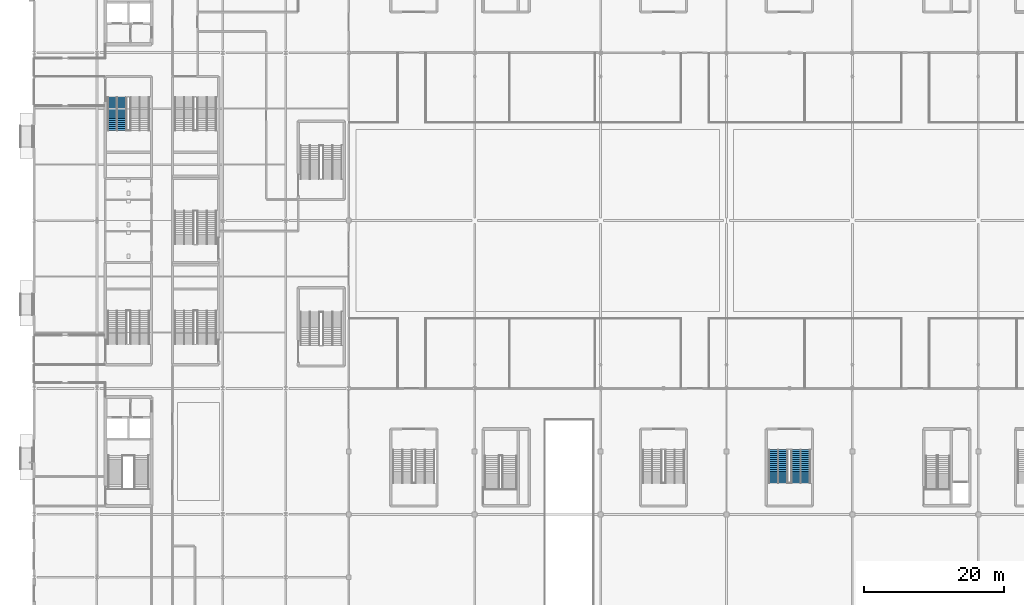
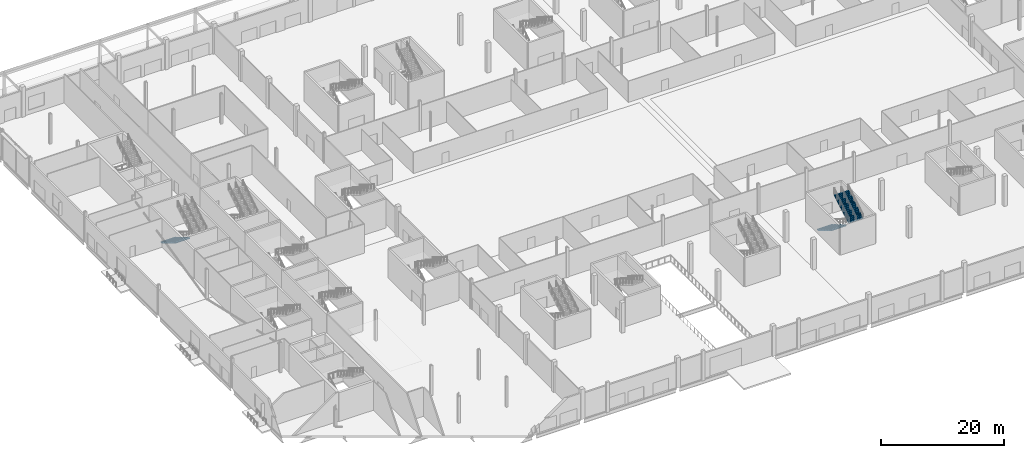
# One storey, part 57 of 84: 3 stair flights, 2 elements without a shape of their own.
"""IFC4 building model written with IfcOpenShell, lengths in metres."""

from ifc_helpers import new_model, si_unit, direction, frame, origin, place, context, subcontext, project, spatial, polygons, material, type_object, element, aggregate, save


model = new_model("IFC4")

# Units and contexts
model_context = context("Model", 3, precision=1e-05, world=origin(), true_north=direction((0.0, 1.0)))
body_context = subcontext(model_context, "Body", "Model", "MODEL_VIEW")
ifc_project = project(units=[si_unit("LENGTHUNIT", "METRE"), si_unit("AREAUNIT", "SQUARE_METRE"), si_unit("VOLUMEUNIT", "CUBIC_METRE"), si_unit("PLANEANGLEUNIT", "RADIAN"), si_unit("MASSUNIT", "GRAM", prefix="KILO")], contexts=[model_context])

# Site, building, storey
site_placement = place(None, origin())
site = spatial("IfcSite", under=ifc_project, at=site_placement, CompositionType="ELEMENT")
building_placement = place(site_placement, origin())
building = spatial("IfcBuilding", under=site, at=building_placement, Name="Kisiwana Market Hall", CompositionType="ELEMENT")
storey_placement = place(building_placement, origin())
storey = spatial("IfcBuildingStorey", under=building, at=storey_placement, Name="L00", CompositionType="ELEMENT", Elevation=0.0)

# Stair, stair flight
ifc_material_1 = material(Name="Concrete C32/40", Category="concrete")
stair_type = type_object("IfcStairType", Name="ST-ESC-6000", PredefinedType="TWO_STRAIGHT_RUN_STAIR", material=ifc_material_1)
stair_1_placement = place(storey_placement, origin())
stair_1 = element("IfcStair", 1, at=stair_1_placement, inside=storey, type_object=stair_type, Name="Escape stair ST-W4-L00", PredefinedType="TWO_STRAIGHT_RUN_STAIR")
ifc_material_2 = material(Name="Concrete C32/40", Category="concrete")
stair_flight_type = type_object("IfcStairFlightType", Name="SF-ESC-6000", PredefinedType="STRAIGHT", material=ifc_material_2)
stair_flight_1_placement = place(storey_placement, frame((11.889892578125, 77.639892578125, 0.0), z_axis=(0.0, 0.0, 1.0), x_axis=(0.0, -1.0, 0.0)))
stair_flight_1 = element("IfcStairFlight", 2, at=stair_flight_1_placement, type_object=stair_flight_type, Name="ST-W4-L00 flight 1", NumberOfRisers=18, NumberOfTreads=17, PredefinedType="STRAIGHT", RiserHeight=0.166667, TreadLength=0.28, context=body_context, shape_type="Tessellation", body=[
    polygons([(0.0, -1.380127, 0.0), (0.0, -0.690125, 0.0), (0.0, -0.000122, 0.0), (0.0, 0.68988, 0.0), (0.0, 1.379883, 0.0), (0.0, -1.380127, 0.166748), (0.0, -0.690125, 0.166748), (0.0, -0.000122, 0.166748), (0.0, 0.68988, 0.166748), (0.0, 1.379883, 0.166748), (0.280029, -1.380127, 0.166748), (0.280029, -0.690125, 0.166748), (0.280029, -0.000122, 0.166748), (0.280029, 0.68988, 0.166748), (0.280029, 1.379883, 0.166748), (0.280029, -1.380127, 0.333252), (0.280029, -0.690125, 0.333252), (0.280029, -0.000122, 0.333252), (0.280029, 0.68988, 0.333252), (0.280029, 1.379883, 0.333252), (0.560059, -1.380127, 0.333252), (0.560059, -0.690125, 0.333252), (0.560059, -0.000122, 0.333252), (0.560059, 0.68988, 0.333252), (0.560059, 1.379883, 0.333252), (0.560059, -1.380127, 0.5), (0.560059, -0.690125, 0.5), (0.560059, -0.000122, 0.5), (0.560059, 0.68988, 0.5), (0.560059, 1.379883, 0.5), (0.840088, -1.380127, 0.5), (0.840088, -0.690125, 0.5), (0.840088, -0.000122, 0.5), (0.840088, 0.68988, 0.5), (0.840088, 1.379883, 0.5), (0.840088, -1.380127, 0.666748), (0.840088, -0.690125, 0.666748), (0.840088, -0.000122, 0.666748), (0.840088, 0.68988, 0.666748), (0.840088, 1.379883, 0.666748), (1.120117, -1.380127, 0.666748), (1.120117, -0.690125, 0.666748), (1.120117, -0.000122, 0.666748), (1.120117, 0.68988, 0.666748), (1.120117, 1.379883, 0.666748), (1.120117, -1.380127, 0.833252), (1.120117, -0.690125, 0.833252), (1.120117, -0.000122, 0.833252), (1.120117, 0.68988, 0.833252), (1.120117, 1.379883, 0.833252), (1.399902, -1.380127, 0.833252), (1.399902, -0.690125, 0.833252), (1.399902, -0.000122, 0.833252), (1.399902, 0.68988, 0.833252), (1.399902, 1.379883, 0.833252), (1.399902, -1.380127, 1.0), (1.399902, -0.690125, 1.0), (1.399902, -0.000122, 1.0), (1.399902, 0.68988, 1.0), (1.399902, 1.379883, 1.0), (1.679932, -1.380127, 1.0), (1.679932, -0.690125, 1.0), (1.679932, -0.000122, 1.0), (1.679932, 0.68988, 1.0), (1.679932, 1.379883, 1.0), (1.679932, -1.380127, 1.166748), (1.679932, -0.690125, 1.166748), (1.679932, -0.000122, 1.166748), (1.679932, 0.68988, 1.166748), (1.679932, 1.379883, 1.166748), (1.959961, -1.380127, 1.166748), (1.959961, -0.690125, 1.166748), (1.959961, -0.000122, 1.166748), (1.959961, 0.68988, 1.166748), (1.959961, 1.379883, 1.166748), (1.959961, -1.380127, 1.333252), (1.959961, -0.690125, 1.333252), (1.959961, -0.000122, 1.333252), (1.959961, 0.68988, 1.333252), (1.959961, 1.379883, 1.333252), (2.23999, -1.380127, 1.333252), (2.23999, -0.690125, 1.333252), (2.23999, -0.000122, 1.333252), (2.23999, 0.68988, 1.333252), (2.23999, 1.379883, 1.333252), (2.23999, -1.380127, 1.5), (2.23999, -0.690125, 1.5), (2.23999, -0.000122, 1.5), (2.23999, 0.68988, 1.5), (2.23999, 1.379883, 1.5), (2.52002, -1.380127, 1.5), (2.52002, -0.690125, 1.5), (2.52002, -0.000122, 1.5), (2.52002, 0.68988, 1.5), (2.52002, 1.379883, 1.5), (2.52002, -1.380127, 1.666748), (2.52002, -0.690125, 1.666748), (2.52002, -0.000122, 1.666748), (2.52002, 0.68988, 1.666748), (2.52002, 1.379883, 1.666748), (2.800049, -1.380127, 1.666748), (2.800049, -0.690125, 1.666748), (2.800049, -0.000122, 1.666748), (2.800049, 0.68988, 1.666748), (2.800049, 1.379883, 1.666748), (2.800049, -1.380127, 1.833252), (2.800049, -0.690125, 1.833252), (2.800049, -0.000122, 1.833252), (2.800049, 0.68988, 1.833252), (2.800049, 1.379883, 1.833252), (3.080078, -1.380127, 1.833252), (3.080078, -0.690125, 1.833252), (3.080078, -0.000122, 1.833252), (3.080078, 0.68988, 1.833252), (3.080078, 1.379883, 1.833252), (3.080078, -1.380127, 2.0), (3.080078, -0.690125, 2.0), (3.080078, -0.000122, 2.0), (3.080078, 0.68988, 2.0), (3.080078, 1.379883, 2.0), (3.360107, -1.380127, 2.0), (3.360107, -0.690125, 2.0), (3.360107, -0.000122, 2.0), (3.360107, 0.68988, 2.0), (3.360107, 1.379883, 2.0), (3.360107, -1.380127, 2.166748), (3.360107, -0.690125, 2.166748), (3.360107, -0.000122, 2.166748), (3.360107, 0.68988, 2.166748), (3.360107, 1.379883, 2.166748), (3.639893, -1.380127, 2.166748), (3.639893, -0.690125, 2.166748), (3.639893, -0.000122, 2.166748), (3.639893, 0.68988, 2.166748), (3.639893, 1.379883, 2.166748), (3.639893, -1.380127, 2.333252), (3.639893, -0.690125, 2.333252), (3.639893, -0.000122, 2.333252), (3.639893, 0.68988, 2.333252), (3.639893, 1.379883, 2.333252), (3.919922, -1.380127, 2.333252), (3.919922, -0.690125, 2.333252), (3.919922, -0.000122, 2.333252), (3.919922, 0.68988, 2.333252), (3.919922, 1.379883, 2.333252), (3.919922, -1.380127, 2.5), (3.919922, -0.690125, 2.5), (3.919922, -0.000122, 2.5), (3.919922, 0.68988, 2.5), (3.919922, 1.379883, 2.5), (4.199951, -1.380127, 2.5), (4.199951, -0.690125, 2.5), (4.199951, -0.000122, 2.5), (4.199951, 0.68988, 2.5), (4.199951, 1.379883, 2.5), (4.199951, -1.380127, 2.666748), (4.199951, -0.690125, 2.666748), (4.199951, -0.000122, 2.666748), (4.199951, 0.68988, 2.666748), (4.199951, 1.379883, 2.666748), (4.47998, -1.380127, 2.666748), (4.47998, -0.690125, 2.666748), (4.47998, -0.000122, 2.666748), (4.47998, 0.68988, 2.666748), (4.47998, 1.379883, 2.666748), (4.47998, -1.380127, 2.833252), (4.47998, -0.690125, 2.833252), (4.47998, -0.000122, 2.833252), (4.47998, 0.68988, 2.833252), (4.47998, 1.379883, 2.833252), (4.76001, -1.380127, 2.833252), (4.76001, -0.690125, 2.833252), (4.76001, -0.000122, 2.833252), (4.76001, 0.68988, 2.833252), (4.76001, 1.379883, 2.833252), (4.76001, -1.380127, 2.624023), (4.76001, -0.690125, 2.624023), (4.76001, -0.000122, 2.624023), (4.76001, 0.68988, 2.624023), (4.76001, 1.379883, 2.624023), (0.351807, -1.380127, 0.0), (0.351807, -0.690125, 0.0), (0.351807, -0.000122, 0.0), (0.351807, 0.68988, 0.0), (0.351807, 1.379883, 0.0)], [[[1, 6, 7, 2]], [[2, 7, 8, 3]], [[3, 8, 9, 4]], [[4, 9, 10, 5]], [[6, 11, 12, 7]], [[7, 12, 13, 8]], [[8, 13, 14, 9]], [[9, 14, 15, 10]], [[11, 16, 17, 12]], [[12, 17, 18, 13]], [[13, 18, 19, 14]], [[14, 19, 20, 15]], [[16, 21, 22, 17]], [[17, 22, 23, 18]], [[18, 23, 24, 19]], [[19, 24, 25, 20]], [[21, 26, 27, 22]], [[22, 27, 28, 23]], [[23, 28, 29, 24]], [[24, 29, 30, 25]], [[26, 31, 32, 27]], [[27, 32, 33, 28]], [[28, 33, 34, 29]], [[29, 34, 35, 30]], [[31, 36, 37, 32]], [[32, 37, 38, 33]], [[33, 38, 39, 34]], [[34, 39, 40, 35]], [[36, 41, 42, 37]], [[37, 42, 43, 38]], [[38, 43, 44, 39]], [[39, 44, 45, 40]], [[41, 46, 47, 42]], [[42, 47, 48, 43]], [[43, 48, 49, 44]], [[44, 49, 50, 45]], [[46, 51, 52, 47]], [[47, 52, 53, 48]], [[48, 53, 54, 49]], [[49, 54, 55, 50]], [[51, 56, 57, 52]], [[52, 57, 58, 53]], [[53, 58, 59, 54]], [[54, 59, 60, 55]], [[56, 61, 62, 57]], [[57, 62, 63, 58]], [[58, 63, 64, 59]], [[59, 64, 65, 60]], [[61, 66, 67, 62]], [[62, 67, 68, 63]], [[63, 68, 69, 64]], [[64, 69, 70, 65]], [[66, 71, 72, 67]], [[67, 72, 73, 68]], [[68, 73, 74, 69]], [[69, 74, 75, 70]], [[71, 76, 77, 72]], [[72, 77, 78, 73]], [[73, 78, 79, 74]], [[74, 79, 80, 75]], [[76, 81, 82, 77]], [[77, 82, 83, 78]], [[78, 83, 84, 79]], [[79, 84, 85, 80]], [[81, 86, 87, 82]], [[82, 87, 88, 83]], [[83, 88, 89, 84]], [[84, 89, 90, 85]], [[86, 91, 92, 87]], [[87, 92, 93, 88]], [[88, 93, 94, 89]], [[89, 94, 95, 90]], [[91, 96, 97, 92]], [[92, 97, 98, 93]], [[93, 98, 99, 94]], [[94, 99, 100, 95]], [[96, 101, 102, 97]], [[97, 102, 103, 98]], [[98, 103, 104, 99]], [[99, 104, 105, 100]], [[101, 106, 107, 102]], [[102, 107, 108, 103]], [[103, 108, 109, 104]], [[104, 109, 110, 105]], [[106, 111, 112, 107]], [[107, 112, 113, 108]], [[108, 113, 114, 109]], [[109, 114, 115, 110]], [[111, 116, 117, 112]], [[112, 117, 118, 113]], [[113, 118, 119, 114]], [[114, 119, 120, 115]], [[116, 121, 122, 117]], [[117, 122, 123, 118]], [[118, 123, 124, 119]], [[119, 124, 125, 120]], [[121, 126, 127, 122]], [[122, 127, 128, 123]], [[123, 128, 129, 124]], [[124, 129, 130, 125]], [[126, 131, 132, 127]], [[127, 132, 133, 128]], [[128, 133, 134, 129]], [[129, 134, 135, 130]], [[131, 136, 137, 132]], [[132, 137, 138, 133]], [[133, 138, 139, 134]], [[134, 139, 140, 135]], [[136, 141, 142, 137]], [[137, 142, 143, 138]], [[138, 143, 144, 139]], [[139, 144, 145, 140]], [[141, 146, 147, 142]], [[142, 147, 148, 143]], [[143, 148, 149, 144]], [[144, 149, 150, 145]], [[146, 151, 152, 147]], [[147, 152, 153, 148]], [[148, 153, 154, 149]], [[149, 154, 155, 150]], [[151, 156, 157, 152]], [[152, 157, 158, 153]], [[153, 158, 159, 154]], [[154, 159, 160, 155]], [[156, 161, 162, 157]], [[157, 162, 163, 158]], [[158, 163, 164, 159]], [[159, 164, 165, 160]], [[161, 166, 167, 162]], [[162, 167, 168, 163]], [[163, 168, 169, 164]], [[164, 169, 170, 165]], [[166, 171, 172, 167]], [[167, 172, 173, 168]], [[168, 173, 174, 169]], [[169, 174, 175, 170]], [[171, 176, 177, 172]], [[172, 177, 178, 173]], [[173, 178, 179, 174]], [[174, 179, 180, 175]], [[176, 181, 182, 177]], [[177, 182, 183, 178]], [[178, 183, 184, 179]], [[179, 184, 185, 180]], [[181, 1, 2, 182]], [[182, 2, 3, 183]], [[183, 3, 4, 184]], [[184, 4, 5, 185]], [[181, 176, 171, 166, 161, 156, 151, 146, 141, 136, 131, 126, 121, 116, 111, 106, 101, 96, 91, 86, 81, 76, 71, 66, 61, 56, 51, 46, 41, 36, 31, 26, 21, 16, 11, 6, 1]], [[5, 10, 15, 20, 25, 30, 35, 40, 45, 50, 55, 60, 65, 70, 75, 80, 85, 90, 95, 100, 105, 110, 115, 120, 125, 130, 135, 140, 145, 150, 155, 160, 165, 170, 175, 180, 185]]], closed=True),
])
aggregate(stair_1, [stair_flight_1])

# Stair, stair flights
stair_2_placement = place(storey_placement, origin())
stair_2 = element("IfcStair", 3, at=stair_2_placement, inside=storey, type_object=stair_type, Name="Escape stair ST-S5-L00", PredefinedType="TWO_STRAIGHT_RUN_STAIR")
stair_flight_2_placement = place(storey_placement, frame((106.389892578125, 27.239990234375, 0.0), z_axis=(0.0, 0.0, 1.0), x_axis=(0.0, -1.0, 0.0)))
stair_flight_2 = element("IfcStairFlight", 4, at=stair_flight_2_placement, type_object=stair_flight_type, Name="ST-S5-L00 flight 1", NumberOfRisers=18, NumberOfTreads=17, PredefinedType="STRAIGHT", RiserHeight=0.166667, TreadLength=0.28, context=body_context, shape_type="Tessellation", body=[
    polygons([(0.0, -1.380127, 0.0), (0.0, -0.690125, 0.0), (0.0, -0.000122, 0.0), (0.0, 0.68988, 0.0), (0.0, 1.379883, 0.0), (0.0, -1.380127, 0.166748), (0.0, -0.690125, 0.166748), (0.0, -0.000122, 0.166748), (0.0, 0.68988, 0.166748), (0.0, 1.379883, 0.166748), (0.280029, -1.380127, 0.166748), (0.280029, -0.690125, 0.166748), (0.280029, -0.000122, 0.166748), (0.280029, 0.68988, 0.166748), (0.280029, 1.379883, 0.166748), (0.280029, -1.380127, 0.333252), (0.280029, -0.690125, 0.333252), (0.280029, -0.000122, 0.333252), (0.280029, 0.68988, 0.333252), (0.280029, 1.379883, 0.333252), (0.560059, -1.380127, 0.333252), (0.560059, -0.690125, 0.333252), (0.560059, -0.000122, 0.333252), (0.560059, 0.68988, 0.333252), (0.560059, 1.379883, 0.333252), (0.560059, -1.380127, 0.5), (0.560059, -0.690125, 0.5), (0.560059, -0.000122, 0.5), (0.560059, 0.68988, 0.5), (0.560059, 1.379883, 0.5), (0.840088, -1.380127, 0.5), (0.840088, -0.690125, 0.5), (0.840088, -0.000122, 0.5), (0.840088, 0.68988, 0.5), (0.840088, 1.379883, 0.5), (0.840088, -1.380127, 0.666748), (0.840088, -0.690125, 0.666748), (0.840088, -0.000122, 0.666748), (0.840088, 0.68988, 0.666748), (0.840088, 1.379883, 0.666748), (1.120117, -1.380127, 0.666748), (1.120117, -0.690125, 0.666748), (1.120117, -0.000122, 0.666748), (1.120117, 0.68988, 0.666748), (1.120117, 1.379883, 0.666748), (1.120117, -1.380127, 0.833252), (1.120117, -0.690125, 0.833252), (1.120117, -0.000122, 0.833252), (1.120117, 0.68988, 0.833252), (1.120117, 1.379883, 0.833252), (1.399902, -1.380127, 0.833252), (1.399902, -0.690125, 0.833252), (1.399902, -0.000122, 0.833252), (1.399902, 0.68988, 0.833252), (1.399902, 1.379883, 0.833252), (1.399902, -1.380127, 1.0), (1.399902, -0.690125, 1.0), (1.399902, -0.000122, 1.0), (1.399902, 0.68988, 1.0), (1.399902, 1.379883, 1.0), (1.679932, -1.380127, 1.0), (1.679932, -0.690125, 1.0), (1.679932, -0.000122, 1.0), (1.679932, 0.68988, 1.0), (1.679932, 1.379883, 1.0), (1.679932, -1.380127, 1.166748), (1.679932, -0.690125, 1.166748), (1.679932, -0.000122, 1.166748), (1.679932, 0.68988, 1.166748), (1.679932, 1.379883, 1.166748), (1.959961, -1.380127, 1.166748), (1.959961, -0.690125, 1.166748), (1.959961, -0.000122, 1.166748), (1.959961, 0.68988, 1.166748), (1.959961, 1.379883, 1.166748), (1.959961, -1.380127, 1.333252), (1.959961, -0.690125, 1.333252), (1.959961, -0.000122, 1.333252), (1.959961, 0.68988, 1.333252), (1.959961, 1.379883, 1.333252), (2.23999, -1.380127, 1.333252), (2.23999, -0.690125, 1.333252), (2.23999, -0.000122, 1.333252), (2.23999, 0.68988, 1.333252), (2.23999, 1.379883, 1.333252), (2.23999, -1.380127, 1.5), (2.23999, -0.690125, 1.5), (2.23999, -0.000122, 1.5), (2.23999, 0.68988, 1.5), (2.23999, 1.379883, 1.5), (2.52002, -1.380127, 1.5), (2.52002, -0.690125, 1.5), (2.52002, -0.000122, 1.5), (2.52002, 0.68988, 1.5), (2.52002, 1.379883, 1.5), (2.52002, -1.380127, 1.666748), (2.52002, -0.690125, 1.666748), (2.52002, -0.000122, 1.666748), (2.52002, 0.68988, 1.666748), (2.52002, 1.379883, 1.666748), (2.800049, -1.380127, 1.666748), (2.800049, -0.690125, 1.666748), (2.800049, -0.000122, 1.666748), (2.800049, 0.68988, 1.666748), (2.800049, 1.379883, 1.666748), (2.800049, -1.380127, 1.833252), (2.800049, -0.690125, 1.833252), (2.800049, -0.000122, 1.833252), (2.800049, 0.68988, 1.833252), (2.800049, 1.379883, 1.833252), (3.080078, -1.380127, 1.833252), (3.080078, -0.690125, 1.833252), (3.080078, -0.000122, 1.833252), (3.080078, 0.68988, 1.833252), (3.080078, 1.379883, 1.833252), (3.080078, -1.380127, 2.0), (3.080078, -0.690125, 2.0), (3.080078, -0.000122, 2.0), (3.080078, 0.68988, 2.0), (3.080078, 1.379883, 2.0), (3.360107, -1.380127, 2.0), (3.360107, -0.690125, 2.0), (3.360107, -0.000122, 2.0), (3.360107, 0.68988, 2.0), (3.360107, 1.379883, 2.0), (3.360107, -1.380127, 2.166748), (3.360107, -0.690125, 2.166748), (3.360107, -0.000122, 2.166748), (3.360107, 0.68988, 2.166748), (3.360107, 1.379883, 2.166748), (3.639893, -1.380127, 2.166748), (3.639893, -0.690125, 2.166748), (3.639893, -0.000122, 2.166748), (3.639893, 0.68988, 2.166748), (3.639893, 1.379883, 2.166748), (3.639893, -1.380127, 2.333252), (3.639893, -0.690125, 2.333252), (3.639893, -0.000122, 2.333252), (3.639893, 0.68988, 2.333252), (3.639893, 1.379883, 2.333252), (3.919922, -1.380127, 2.333252), (3.919922, -0.690125, 2.333252), (3.919922, -0.000122, 2.333252), (3.919922, 0.68988, 2.333252), (3.919922, 1.379883, 2.333252), (3.919922, -1.380127, 2.5), (3.919922, -0.690125, 2.5), (3.919922, -0.000122, 2.5), (3.919922, 0.68988, 2.5), (3.919922, 1.379883, 2.5), (4.199951, -1.380127, 2.5), (4.199951, -0.690125, 2.5), (4.199951, -0.000122, 2.5), (4.199951, 0.68988, 2.5), (4.199951, 1.379883, 2.5), (4.199951, -1.380127, 2.666748), (4.199951, -0.690125, 2.666748), (4.199951, -0.000122, 2.666748), (4.199951, 0.68988, 2.666748), (4.199951, 1.379883, 2.666748), (4.47998, -1.380127, 2.666748), (4.47998, -0.690125, 2.666748), (4.47998, -0.000122, 2.666748), (4.47998, 0.68988, 2.666748), (4.47998, 1.379883, 2.666748), (4.47998, -1.380127, 2.833252), (4.47998, -0.690125, 2.833252), (4.47998, -0.000122, 2.833252), (4.47998, 0.68988, 2.833252), (4.47998, 1.379883, 2.833252), (4.76001, -1.380127, 2.833252), (4.76001, -0.690125, 2.833252), (4.76001, -0.000122, 2.833252), (4.76001, 0.68988, 2.833252), (4.76001, 1.379883, 2.833252), (4.76001, -1.380127, 2.624023), (4.76001, -0.690125, 2.624023), (4.76001, -0.000122, 2.624023), (4.76001, 0.68988, 2.624023), (4.76001, 1.379883, 2.624023), (0.351807, -1.380127, 0.0), (0.351807, -0.690125, 0.0), (0.351807, -0.000122, 0.0), (0.351807, 0.68988, 0.0), (0.351807, 1.379883, 0.0)], [[[1, 6, 7, 2]], [[2, 7, 8, 3]], [[3, 8, 9, 4]], [[4, 9, 10, 5]], [[6, 11, 12, 7]], [[7, 12, 13, 8]], [[8, 13, 14, 9]], [[9, 14, 15, 10]], [[11, 16, 17, 12]], [[12, 17, 18, 13]], [[13, 18, 19, 14]], [[14, 19, 20, 15]], [[16, 21, 22, 17]], [[17, 22, 23, 18]], [[18, 23, 24, 19]], [[19, 24, 25, 20]], [[21, 26, 27, 22]], [[22, 27, 28, 23]], [[23, 28, 29, 24]], [[24, 29, 30, 25]], [[26, 31, 32, 27]], [[27, 32, 33, 28]], [[28, 33, 34, 29]], [[29, 34, 35, 30]], [[31, 36, 37, 32]], [[32, 37, 38, 33]], [[33, 38, 39, 34]], [[34, 39, 40, 35]], [[36, 41, 42, 37]], [[37, 42, 43, 38]], [[38, 43, 44, 39]], [[39, 44, 45, 40]], [[41, 46, 47, 42]], [[42, 47, 48, 43]], [[43, 48, 49, 44]], [[44, 49, 50, 45]], [[46, 51, 52, 47]], [[47, 52, 53, 48]], [[48, 53, 54, 49]], [[49, 54, 55, 50]], [[51, 56, 57, 52]], [[52, 57, 58, 53]], [[53, 58, 59, 54]], [[54, 59, 60, 55]], [[56, 61, 62, 57]], [[57, 62, 63, 58]], [[58, 63, 64, 59]], [[59, 64, 65, 60]], [[61, 66, 67, 62]], [[62, 67, 68, 63]], [[63, 68, 69, 64]], [[64, 69, 70, 65]], [[66, 71, 72, 67]], [[67, 72, 73, 68]], [[68, 73, 74, 69]], [[69, 74, 75, 70]], [[71, 76, 77, 72]], [[72, 77, 78, 73]], [[73, 78, 79, 74]], [[74, 79, 80, 75]], [[76, 81, 82, 77]], [[77, 82, 83, 78]], [[78, 83, 84, 79]], [[79, 84, 85, 80]], [[81, 86, 87, 82]], [[82, 87, 88, 83]], [[83, 88, 89, 84]], [[84, 89, 90, 85]], [[86, 91, 92, 87]], [[87, 92, 93, 88]], [[88, 93, 94, 89]], [[89, 94, 95, 90]], [[91, 96, 97, 92]], [[92, 97, 98, 93]], [[93, 98, 99, 94]], [[94, 99, 100, 95]], [[96, 101, 102, 97]], [[97, 102, 103, 98]], [[98, 103, 104, 99]], [[99, 104, 105, 100]], [[101, 106, 107, 102]], [[102, 107, 108, 103]], [[103, 108, 109, 104]], [[104, 109, 110, 105]], [[106, 111, 112, 107]], [[107, 112, 113, 108]], [[108, 113, 114, 109]], [[109, 114, 115, 110]], [[111, 116, 117, 112]], [[112, 117, 118, 113]], [[113, 118, 119, 114]], [[114, 119, 120, 115]], [[116, 121, 122, 117]], [[117, 122, 123, 118]], [[118, 123, 124, 119]], [[119, 124, 125, 120]], [[121, 126, 127, 122]], [[122, 127, 128, 123]], [[123, 128, 129, 124]], [[124, 129, 130, 125]], [[126, 131, 132, 127]], [[127, 132, 133, 128]], [[128, 133, 134, 129]], [[129, 134, 135, 130]], [[131, 136, 137, 132]], [[132, 137, 138, 133]], [[133, 138, 139, 134]], [[134, 139, 140, 135]], [[136, 141, 142, 137]], [[137, 142, 143, 138]], [[138, 143, 144, 139]], [[139, 144, 145, 140]], [[141, 146, 147, 142]], [[142, 147, 148, 143]], [[143, 148, 149, 144]], [[144, 149, 150, 145]], [[146, 151, 152, 147]], [[147, 152, 153, 148]], [[148, 153, 154, 149]], [[149, 154, 155, 150]], [[151, 156, 157, 152]], [[152, 157, 158, 153]], [[153, 158, 159, 154]], [[154, 159, 160, 155]], [[156, 161, 162, 157]], [[157, 162, 163, 158]], [[158, 163, 164, 159]], [[159, 164, 165, 160]], [[161, 166, 167, 162]], [[162, 167, 168, 163]], [[163, 168, 169, 164]], [[164, 169, 170, 165]], [[166, 171, 172, 167]], [[167, 172, 173, 168]], [[168, 173, 174, 169]], [[169, 174, 175, 170]], [[171, 176, 177, 172]], [[172, 177, 178, 173]], [[173, 178, 179, 174]], [[174, 179, 180, 175]], [[176, 181, 182, 177]], [[177, 182, 183, 178]], [[178, 183, 184, 179]], [[179, 184, 185, 180]], [[181, 1, 2, 182]], [[182, 2, 3, 183]], [[183, 3, 4, 184]], [[184, 4, 5, 185]], [[181, 176, 171, 166, 161, 156, 151, 146, 141, 136, 131, 126, 121, 116, 111, 106, 101, 96, 91, 86, 81, 76, 71, 66, 61, 56, 51, 46, 41, 36, 31, 26, 21, 16, 11, 6, 1]], [[5, 10, 15, 20, 25, 30, 35, 40, 45, 50, 55, 60, 65, 70, 75, 80, 85, 90, 95, 100, 105, 110, 115, 120, 125, 130, 135, 140, 145, 150, 155, 160, 165, 170, 175, 180, 185]]], closed=True),
])
stair_flight_3_placement = place(storey_placement, frame((109.610107421875, 22.47998046875, 3.0), z_axis=(0.0, 0.0, 1.0), x_axis=(0.0, 1.0, 0.0)))
stair_flight_3 = element("IfcStairFlight", 5, at=stair_flight_3_placement, type_object=stair_flight_type, Name="ST-S5-L00 flight 2", NumberOfRisers=18, NumberOfTreads=17, PredefinedType="STRAIGHT", RiserHeight=0.166667, TreadLength=0.28, context=body_context, shape_type="Tessellation", body=[
    polygons([(0.0, -1.380127, 0.0), (0.0, -0.690125, 0.0), (0.0, -0.000122, 0.0), (0.0, 0.68988, 0.0), (0.0, 1.379883, 0.0), (0.0, -1.380127, 0.166748), (0.0, -0.690125, 0.166748), (0.0, -0.000122, 0.166748), (0.0, 0.68988, 0.166748), (0.0, 1.379883, 0.166748), (0.280029, -1.380127, 0.166748), (0.280029, -0.690125, 0.166748), (0.280029, -0.000122, 0.166748), (0.280029, 0.68988, 0.166748), (0.280029, 1.379883, 0.166748), (0.280029, -1.380127, 0.333252), (0.280029, -0.690125, 0.333252), (0.280029, -0.000122, 0.333252), (0.280029, 0.68988, 0.333252), (0.280029, 1.379883, 0.333252), (0.560059, -1.380127, 0.333252), (0.560059, -0.690125, 0.333252), (0.560059, -0.000122, 0.333252), (0.560059, 0.68988, 0.333252), (0.560059, 1.379883, 0.333252), (0.560059, -1.380127, 0.5), (0.560059, -0.690125, 0.5), (0.560059, -0.000122, 0.5), (0.560059, 0.68988, 0.5), (0.560059, 1.379883, 0.5), (0.840088, -1.380127, 0.5), (0.840088, -0.690125, 0.5), (0.840088, -0.000122, 0.5), (0.840088, 0.68988, 0.5), (0.840088, 1.379883, 0.5), (0.840088, -1.380127, 0.666748), (0.840088, -0.690125, 0.666748), (0.840088, -0.000122, 0.666748), (0.840088, 0.68988, 0.666748), (0.840088, 1.379883, 0.666748), (1.120117, -1.380127, 0.666748), (1.120117, -0.690125, 0.666748), (1.120117, -0.000122, 0.666748), (1.120117, 0.68988, 0.666748), (1.120117, 1.379883, 0.666748), (1.120117, -1.380127, 0.833252), (1.120117, -0.690125, 0.833252), (1.120117, -0.000122, 0.833252), (1.120117, 0.68988, 0.833252), (1.120117, 1.379883, 0.833252), (1.399902, -1.380127, 0.833252), (1.399902, -0.690125, 0.833252), (1.399902, -0.000122, 0.833252), (1.399902, 0.68988, 0.833252), (1.399902, 1.379883, 0.833252), (1.399902, -1.380127, 1.0), (1.399902, -0.690125, 1.0), (1.399902, -0.000122, 1.0), (1.399902, 0.68988, 1.0), (1.399902, 1.379883, 1.0), (1.679932, -1.380127, 1.0), (1.679932, -0.690125, 1.0), (1.679932, -0.000122, 1.0), (1.679932, 0.68988, 1.0), (1.679932, 1.379883, 1.0), (1.679932, -1.380127, 1.166748), (1.679932, -0.690125, 1.166748), (1.679932, -0.000122, 1.166748), (1.679932, 0.68988, 1.166748), (1.679932, 1.379883, 1.166748), (1.959961, -1.380127, 1.166748), (1.959961, -0.690125, 1.166748), (1.959961, -0.000122, 1.166748), (1.959961, 0.68988, 1.166748), (1.959961, 1.379883, 1.166748), (1.959961, -1.380127, 1.333252), (1.959961, -0.690125, 1.333252), (1.959961, -0.000122, 1.333252), (1.959961, 0.68988, 1.333252), (1.959961, 1.379883, 1.333252), (2.23999, -1.380127, 1.333252), (2.23999, -0.690125, 1.333252), (2.23999, -0.000122, 1.333252), (2.23999, 0.68988, 1.333252), (2.23999, 1.379883, 1.333252), (2.23999, -1.380127, 1.5), (2.23999, -0.690125, 1.5), (2.23999, -0.000122, 1.5), (2.23999, 0.68988, 1.5), (2.23999, 1.379883, 1.5), (2.52002, -1.380127, 1.5), (2.52002, -0.690125, 1.5), (2.52002, -0.000122, 1.5), (2.52002, 0.68988, 1.5), (2.52002, 1.379883, 1.5), (2.52002, -1.380127, 1.666748), (2.52002, -0.690125, 1.666748), (2.52002, -0.000122, 1.666748), (2.52002, 0.68988, 1.666748), (2.52002, 1.379883, 1.666748), (2.800049, -1.380127, 1.666748), (2.800049, -0.690125, 1.666748), (2.800049, -0.000122, 1.666748), (2.800049, 0.68988, 1.666748), (2.800049, 1.379883, 1.666748), (2.800049, -1.380127, 1.833252), (2.800049, -0.690125, 1.833252), (2.800049, -0.000122, 1.833252), (2.800049, 0.68988, 1.833252), (2.800049, 1.379883, 1.833252), (3.080078, -1.380127, 1.833252), (3.080078, -0.690125, 1.833252), (3.080078, -0.000122, 1.833252), (3.080078, 0.68988, 1.833252), (3.080078, 1.379883, 1.833252), (3.080078, -1.380127, 2.0), (3.080078, -0.690125, 2.0), (3.080078, -0.000122, 2.0), (3.080078, 0.68988, 2.0), (3.080078, 1.379883, 2.0), (3.360107, -1.380127, 2.0), (3.360107, -0.690125, 2.0), (3.360107, -0.000122, 2.0), (3.360107, 0.68988, 2.0), (3.360107, 1.379883, 2.0), (3.360107, -1.380127, 2.166748), (3.360107, -0.690125, 2.166748), (3.360107, -0.000122, 2.166748), (3.360107, 0.68988, 2.166748), (3.360107, 1.379883, 2.166748), (3.639893, -1.380127, 2.166748), (3.639893, -0.690125, 2.166748), (3.639893, -0.000122, 2.166748), (3.639893, 0.68988, 2.166748), (3.639893, 1.379883, 2.166748), (3.639893, -1.380127, 2.333252), (3.639893, -0.690125, 2.333252), (3.639893, -0.000122, 2.333252), (3.639893, 0.68988, 2.333252), (3.639893, 1.379883, 2.333252), (3.919922, -1.380127, 2.333252), (3.919922, -0.690125, 2.333252), (3.919922, -0.000122, 2.333252), (3.919922, 0.68988, 2.333252), (3.919922, 1.379883, 2.333252), (3.919922, -1.380127, 2.5), (3.919922, -0.690125, 2.5), (3.919922, -0.000122, 2.5), (3.919922, 0.68988, 2.5), (3.919922, 1.379883, 2.5), (4.199951, -1.380127, 2.5), (4.199951, -0.690125, 2.5), (4.199951, -0.000122, 2.5), (4.199951, 0.68988, 2.5), (4.199951, 1.379883, 2.5), (4.199951, -1.380127, 2.666748), (4.199951, -0.690125, 2.666748), (4.199951, -0.000122, 2.666748), (4.199951, 0.68988, 2.666748), (4.199951, 1.379883, 2.666748), (4.47998, -1.380127, 2.666748), (4.47998, -0.690125, 2.666748), (4.47998, -0.000122, 2.666748), (4.47998, 0.68988, 2.666748), (4.47998, 1.379883, 2.666748), (4.47998, -1.380127, 2.833252), (4.47998, -0.690125, 2.833252), (4.47998, -0.000122, 2.833252), (4.47998, 0.68988, 2.833252), (4.47998, 1.379883, 2.833252), (4.76001, -1.380127, 2.833252), (4.76001, -0.690125, 2.833252), (4.76001, -0.000122, 2.833252), (4.76001, 0.68988, 2.833252), (4.76001, 1.379883, 2.833252), (4.76001, -1.380127, 2.624023), (4.76001, -0.690125, 2.624023), (4.76001, -0.000122, 2.624023), (4.76001, 0.68988, 2.624023), (4.76001, 1.379883, 2.624023), (0.351807, -1.380127, 0.0), (0.351807, -0.690125, 0.0), (0.351807, -0.000122, 0.0), (0.351807, 0.68988, 0.0), (0.351807, 1.379883, 0.0)], [[[1, 6, 7, 2]], [[2, 7, 8, 3]], [[3, 8, 9, 4]], [[4, 9, 10, 5]], [[6, 11, 12, 7]], [[7, 12, 13, 8]], [[8, 13, 14, 9]], [[9, 14, 15, 10]], [[11, 16, 17, 12]], [[12, 17, 18, 13]], [[13, 18, 19, 14]], [[14, 19, 20, 15]], [[16, 21, 22, 17]], [[17, 22, 23, 18]], [[18, 23, 24, 19]], [[19, 24, 25, 20]], [[21, 26, 27, 22]], [[22, 27, 28, 23]], [[23, 28, 29, 24]], [[24, 29, 30, 25]], [[26, 31, 32, 27]], [[27, 32, 33, 28]], [[28, 33, 34, 29]], [[29, 34, 35, 30]], [[31, 36, 37, 32]], [[32, 37, 38, 33]], [[33, 38, 39, 34]], [[34, 39, 40, 35]], [[36, 41, 42, 37]], [[37, 42, 43, 38]], [[38, 43, 44, 39]], [[39, 44, 45, 40]], [[41, 46, 47, 42]], [[42, 47, 48, 43]], [[43, 48, 49, 44]], [[44, 49, 50, 45]], [[46, 51, 52, 47]], [[47, 52, 53, 48]], [[48, 53, 54, 49]], [[49, 54, 55, 50]], [[51, 56, 57, 52]], [[52, 57, 58, 53]], [[53, 58, 59, 54]], [[54, 59, 60, 55]], [[56, 61, 62, 57]], [[57, 62, 63, 58]], [[58, 63, 64, 59]], [[59, 64, 65, 60]], [[61, 66, 67, 62]], [[62, 67, 68, 63]], [[63, 68, 69, 64]], [[64, 69, 70, 65]], [[66, 71, 72, 67]], [[67, 72, 73, 68]], [[68, 73, 74, 69]], [[69, 74, 75, 70]], [[71, 76, 77, 72]], [[72, 77, 78, 73]], [[73, 78, 79, 74]], [[74, 79, 80, 75]], [[76, 81, 82, 77]], [[77, 82, 83, 78]], [[78, 83, 84, 79]], [[79, 84, 85, 80]], [[81, 86, 87, 82]], [[82, 87, 88, 83]], [[83, 88, 89, 84]], [[84, 89, 90, 85]], [[86, 91, 92, 87]], [[87, 92, 93, 88]], [[88, 93, 94, 89]], [[89, 94, 95, 90]], [[91, 96, 97, 92]], [[92, 97, 98, 93]], [[93, 98, 99, 94]], [[94, 99, 100, 95]], [[96, 101, 102, 97]], [[97, 102, 103, 98]], [[98, 103, 104, 99]], [[99, 104, 105, 100]], [[101, 106, 107, 102]], [[102, 107, 108, 103]], [[103, 108, 109, 104]], [[104, 109, 110, 105]], [[106, 111, 112, 107]], [[107, 112, 113, 108]], [[108, 113, 114, 109]], [[109, 114, 115, 110]], [[111, 116, 117, 112]], [[112, 117, 118, 113]], [[113, 118, 119, 114]], [[114, 119, 120, 115]], [[116, 121, 122, 117]], [[117, 122, 123, 118]], [[118, 123, 124, 119]], [[119, 124, 125, 120]], [[121, 126, 127, 122]], [[122, 127, 128, 123]], [[123, 128, 129, 124]], [[124, 129, 130, 125]], [[126, 131, 132, 127]], [[127, 132, 133, 128]], [[128, 133, 134, 129]], [[129, 134, 135, 130]], [[131, 136, 137, 132]], [[132, 137, 138, 133]], [[133, 138, 139, 134]], [[134, 139, 140, 135]], [[136, 141, 142, 137]], [[137, 142, 143, 138]], [[138, 143, 144, 139]], [[139, 144, 145, 140]], [[141, 146, 147, 142]], [[142, 147, 148, 143]], [[143, 148, 149, 144]], [[144, 149, 150, 145]], [[146, 151, 152, 147]], [[147, 152, 153, 148]], [[148, 153, 154, 149]], [[149, 154, 155, 150]], [[151, 156, 157, 152]], [[152, 157, 158, 153]], [[153, 158, 159, 154]], [[154, 159, 160, 155]], [[156, 161, 162, 157]], [[157, 162, 163, 158]], [[158, 163, 164, 159]], [[159, 164, 165, 160]], [[161, 166, 167, 162]], [[162, 167, 168, 163]], [[163, 168, 169, 164]], [[164, 169, 170, 165]], [[166, 171, 172, 167]], [[167, 172, 173, 168]], [[168, 173, 174, 169]], [[169, 174, 175, 170]], [[171, 176, 177, 172]], [[172, 177, 178, 173]], [[173, 178, 179, 174]], [[174, 179, 180, 175]], [[176, 181, 182, 177]], [[177, 182, 183, 178]], [[178, 183, 184, 179]], [[179, 184, 185, 180]], [[181, 1, 2, 182]], [[182, 2, 3, 183]], [[183, 3, 4, 184]], [[184, 4, 5, 185]], [[181, 176, 171, 166, 161, 156, 151, 146, 141, 136, 131, 126, 121, 116, 111, 106, 101, 96, 91, 86, 81, 76, 71, 66, 61, 56, 51, 46, 41, 36, 31, 26, 21, 16, 11, 6, 1]], [[5, 10, 15, 20, 25, 30, 35, 40, 45, 50, 55, 60, 65, 70, 75, 80, 85, 90, 95, 100, 105, 110, 115, 120, 125, 130, 135, 140, 145, 150, 155, 160, 165, 170, 175, 180, 185]]], closed=True),
])
aggregate(stair_2, [stair_flight_2, stair_flight_3])

save(model, "model.ifc")
